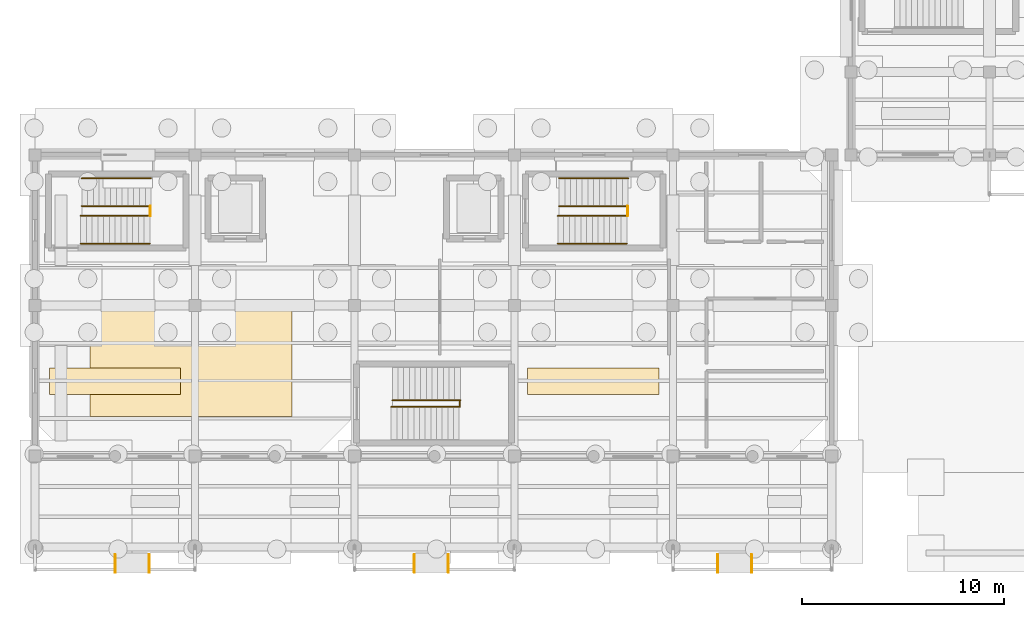
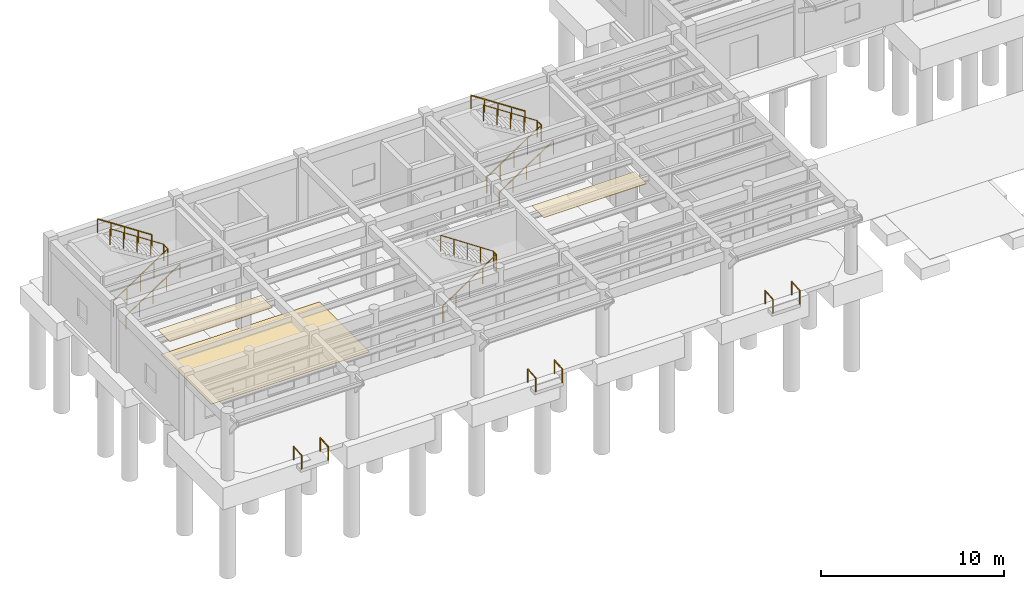
# One storey, part 35 of 41: 19 railings, 3 coverings.
"""IFC4 building model written with IfcOpenShell, lengths in metres."""

from ifc_helpers import new_model, si_unit, direction, frame, origin, origin_2d, place, context, subcontext, project, spatial, rectangle, circle, extrude, material, layer, layer_set, type_object, element, save


model = new_model("IFC4")

# Units and contexts
model_context = context("Model", 3, precision=1e-05, world=origin(), true_north=direction((0.0, 1.0)))
body_context = subcontext(model_context, "Body", "Model", "MODEL_VIEW")
ifc_project = project(units=[si_unit("LENGTHUNIT", "METRE"), si_unit("AREAUNIT", "SQUARE_METRE"), si_unit("VOLUMEUNIT", "CUBIC_METRE"), si_unit("PLANEANGLEUNIT", "RADIAN"), si_unit("MASSUNIT", "GRAM", prefix="KILO")], contexts=[model_context])

# Site, building, storey
site_placement = place(None, origin())
site = spatial("IfcSite", under=ifc_project, at=site_placement, CompositionType="ELEMENT")
building_placement = place(site_placement, origin())
building = spatial("IfcBuilding", under=site, at=building_placement, Name="Candilejo Ridge Gondola Terminal", CompositionType="ELEMENT")
storey_placement = place(building_placement, origin())
storey = spatial("IfcBuildingStorey", under=building, at=storey_placement, Name="L00", CompositionType="ELEMENT", Elevation=0.0)

# Coverings
ifc_material_1 = material(Name="Perforated acoustic aluminium linear plank ceiling", Category="aluminium")
ifc_layer_1 = layer(ifc_material_1, 0.044921875)
ifc_layer_set_1 = layer_set([ifc_layer_1], Name="ARC-COV-CEILING-AC")
covering_type_1 = type_object("IfcCoveringType", Name="ARC-COV-CEILING-AC", PredefinedType="CEILING", material=ifc_layer_set_1)
for number, where, z_axis, x_axis, name in (
    (1, (8.25, 14.5, 4.215576171875), (0.0, 0.0, 1.0), (1.0, 0.0, 0.0), "Acoustic ceiling CL-V1-L00-A"),
    (2, (31.89990234375, 14.5, 4.215576171875), (0.0, 0.0, 1.0), (1.0, 0.0, 0.0), "Acoustic ceiling CL-V1-L00-B"),
):
    element("IfcCovering", number, at=place(storey_placement, frame(where, z_axis=z_axis, x_axis=x_axis)), inside=storey, type_object=covering_type_1, Name=name, PredefinedType="CEILING", context=body_context, shape_type="SweptSolid", body=[
        extrude(rectangle(XDim=6.5, YDim=1.300048828125, at=origin_2d()), origin(), (0.0, 0.0, 1.0), 0.044921875),
    ])
ifc_material_2 = material(Name="Flamed Andean grey granite tactile paving 30 mm", Category="masonry")
ifc_layer_2 = layer(ifc_material_2, 0.030029296875)
ifc_layer_set_2 = layer_set([ifc_layer_2], Name="ARC-COV-FLOORING-GRANITE")
covering_type_2 = type_object("IfcCoveringType", Name="ARC-COV-FLOORING-GRANITE", PredefinedType="FLOORING", material=ifc_layer_set_2)
covering_placement = place(storey_placement, frame((12.0, 15.5, 0.0), z_axis=(0.0, 0.0, 1.0), x_axis=(1.0, 0.0, 0.0)))
element("IfcCovering", 3, at=covering_placement, inside=storey, type_object=covering_type_2, Name="Tactile granite flooring FLR-V1-LOBBY", PredefinedType="FLOORING", context=body_context, shape_type="SweptSolid", body=[
    extrude(rectangle(XDim=10.0, YDim=5.5, at=origin_2d()), origin(), (0.0, 0.0, 1.0), 0.030029296875),
])

# Railings
ifc_material_3 = material(Name="Brushed stainless steel AISI 316", Category="steel")
railing_type_1 = type_object("IfcRailingType", Name="ARC-RAMP-HANDRAIL-920", PredefinedType="HANDRAIL", material=ifc_material_3)
for number, where, name in (
    (4, (8.260009765625, 5.050048828125, -0.074951171875), "Ramp handrail RM-01-W"),
    (5, (9.93994140625, 5.050048828125, -0.074951171875), "Ramp handrail RM-01-E"),
    (6, (23.06005859375, 5.050048828125, -0.074951171875), "Ramp handrail RM-02-W"),
    (7, (24.739990234375, 5.050048828125, -0.074951171875), "Ramp handrail RM-02-E"),
    (8, (38.06005859375, 5.050048828125, -0.074951171875), "Ramp handrail RM-03-W"),
    (9, (39.739990234375, 5.050048828125, -0.074951171875), "Ramp handrail RM-03-E"),
):
    element("IfcRailing", number, at=place(storey_placement, frame(where)), inside=storey, type_object=railing_type_1, Name=name, PredefinedType="HANDRAIL", context=body_context, shape_type="SweptSolid", body=[
        extrude(circle(Radius=0.02392578125, at=origin_2d()), frame((0.0, 0.0, 0.89599609375), z_axis=(0.0, 0.996882531843, 0.07890004883), x_axis=(-1.0, 0.0, 0.0)), (0.0, 0.0, 1.0), 0.87255859375),
        extrude(circle(Radius=0.02099609375, at=origin_2d()), origin(), (0.0, 0.0, 1.0), 0.871826171875),
        extrude(circle(Radius=0.02099609375, at=origin_2d()), frame((0.0, 0.869873046875, 0.06884765625)), (0.0, 0.0, 1.0), 0.871826171875),
    ])
ifc_material_4 = material(Name="Hot-dip galvanised steel ASTM A500 Grade B", Category="steel")
railing_type_2 = type_object("IfcRailingType", Name="ARC-STAIR-GUARD-1100", PredefinedType="GUARDRAIL", material=ifc_material_4)
railing_1_placement = place(storey_placement, frame((6.550048828125, 22.68505859375, 0.0)))
element("IfcRailing", 10, at=railing_1_placement, inside=storey, type_object=railing_type_2, Name="Flight well guard ST-V1A-F01", PredefinedType="GUARDRAIL", context=body_context, shape_type="SweptSolid", body=[
    extrude(circle(Radius=0.02392578125, at=origin_2d()), frame((0.0, 0.0, 1.076171875), z_axis=(0.835411317272, 0.0, 0.549625264133), x_axis=(0.0, 1.0, 0.0)), (0.0, 0.0, 1.0), 4.09375),
    extrude(circle(Radius=0.02099609375, at=origin_2d()), origin(), (0.0, 0.0, 1.0), 1.052001953125),
    extrude(circle(Radius=0.02099609375, at=origin_2d()), frame((0.85498046875, 0.0, 0.5625)), (0.0, 0.0, 1.0), 1.052001953125),
    extrude(circle(Radius=0.02099609375, at=origin_2d()), frame((1.7099609375, 0.0, 1.125)), (0.0, 0.0, 1.0), 1.052001953125),
    extrude(circle(Radius=0.02099609375, at=origin_2d()), frame((2.56494140625, 0.0, 1.6875)), (0.0, 0.0, 1.0), 1.052001953125),
    extrude(circle(Radius=0.02099609375, at=origin_2d()), frame((3.419921875, 0.0, 2.25)), (0.0, 0.0, 1.0), 1.052001953125),
])
railing_2_placement = place(storey_placement, frame((10.0, 22.68505859375, 2.25)))
element("IfcRailing", 11, at=railing_2_placement, inside=storey, type_object=railing_type_2, Name="Half-landing slot guard ST-V1A-LND-01", PredefinedType="GUARDRAIL", context=body_context, shape_type="SweptSolid", body=[
    extrude(circle(Radius=0.02392578125, at=origin_2d()), frame((0.0, 0.0, 1.076171875), z_axis=(0.0, 1.0, 0.0), x_axis=(-1.0, 0.0, 0.0)), (0.0, 0.0, 1.0), 0.47998046875),
    extrude(circle(Radius=0.02099609375, at=origin_2d()), origin(), (0.0, 0.0, 1.0), 1.052001953125),
    extrude(circle(Radius=0.02099609375, at=origin_2d()), frame((0.0, 0.47998046875, 0.0)), (0.0, 0.0, 1.0), 1.052001953125),
])
railing_3_placement = place(storey_placement, frame((10.030029296875, 23.1650390625, 2.25)))
element("IfcRailing", 12, at=railing_3_placement, inside=storey, type_object=railing_type_2, Name="Flight well guard ST-V1A-F02", PredefinedType="GUARDRAIL", context=body_context, shape_type="SweptSolid", body=[
    extrude(circle(Radius=0.02392578125, at=origin_2d()), frame((0.0, 0.0, 1.076171875), z_axis=(-0.835411317272, 0.0, 0.549625264133), x_axis=(0.0, -1.0, 0.0)), (0.0, 0.0, 1.0), 4.09375),
    extrude(circle(Radius=0.02099609375, at=origin_2d()), origin(), (0.0, 0.0, 1.0), 1.052001953125),
    extrude(circle(Radius=0.02099609375, at=origin_2d()), frame((-0.85498046875, 0.0, 0.5625)), (0.0, 0.0, 1.0), 1.052001953125),
    extrude(circle(Radius=0.02099609375, at=origin_2d()), frame((-1.7099609375, 0.0, 1.125)), (0.0, 0.0, 1.0), 1.052001953125),
    extrude(circle(Radius=0.02099609375, at=origin_2d()), frame((-2.56494140625, 0.0, 1.6875)), (0.0, 0.0, 1.0), 1.052001953125),
    extrude(circle(Radius=0.02099609375, at=origin_2d()), frame((-3.419921875, 0.0, 2.25)), (0.0, 0.0, 1.0), 1.052001953125),
])
railing_4_placement = place(storey_placement, frame((30.14990234375, 22.68505859375, 0.0)))
element("IfcRailing", 13, at=railing_4_placement, inside=storey, type_object=railing_type_2, Name="Flight well guard ST-V1B-F01", PredefinedType="GUARDRAIL", context=body_context, shape_type="SweptSolid", body=[
    extrude(circle(Radius=0.02392578125, at=origin_2d()), frame((0.0, 0.0, 1.076171875), z_axis=(0.835429331894, 0.0, 0.549597881557), x_axis=(0.0, 1.0, 0.0)), (0.0, 0.0, 1.0), 4.093994140625),
    extrude(circle(Radius=0.02099609375, at=origin_2d()), origin(), (0.0, 0.0, 1.0), 1.052001953125),
    extrude(circle(Radius=0.02099609375, at=origin_2d()), frame((0.85498046875, 0.0, 0.5625)), (0.0, 0.0, 1.0), 1.052001953125),
    extrude(circle(Radius=0.02099609375, at=origin_2d()), frame((1.7099609375, 0.0, 1.125)), (0.0, 0.0, 1.0), 1.052001953125),
    extrude(circle(Radius=0.02099609375, at=origin_2d()), frame((2.565185546875, 0.0, 1.6875)), (0.0, 0.0, 1.0), 1.052001953125),
    extrude(circle(Radius=0.02099609375, at=origin_2d()), frame((3.420166015625, 0.0, 2.25)), (0.0, 0.0, 1.0), 1.052001953125),
])
railing_5_placement = place(storey_placement, frame((33.60009765625, 22.68505859375, 2.25)))
element("IfcRailing", 14, at=railing_5_placement, inside=storey, type_object=railing_type_2, Name="Half-landing slot guard ST-V1B-LND-01", PredefinedType="GUARDRAIL", context=body_context, shape_type="SweptSolid", body=[
    extrude(circle(Radius=0.02392578125, at=origin_2d()), frame((0.0, 0.0, 1.076171875), z_axis=(0.0, 1.0, 0.0), x_axis=(-1.0, 0.0, 0.0)), (0.0, 0.0, 1.0), 0.47998046875),
    extrude(circle(Radius=0.02099609375, at=origin_2d()), origin(), (0.0, 0.0, 1.0), 1.052001953125),
    extrude(circle(Radius=0.02099609375, at=origin_2d()), frame((0.0, 0.47998046875, 0.0)), (0.0, 0.0, 1.0), 1.052001953125),
])
railing_6_placement = place(storey_placement, frame((33.6298828125, 23.1650390625, 2.25)))
element("IfcRailing", 15, at=railing_6_placement, inside=storey, type_object=railing_type_2, Name="Flight well guard ST-V1B-F02", PredefinedType="GUARDRAIL", context=body_context, shape_type="SweptSolid", body=[
    extrude(circle(Radius=0.02392578125, at=origin_2d()), frame((0.0, 0.0, 1.076171875), z_axis=(-0.835411317272, 0.0, 0.549625264133), x_axis=(0.0, -1.0, 0.0)), (0.0, 0.0, 1.0), 4.09375),
    extrude(circle(Radius=0.02099609375, at=origin_2d()), origin(), (0.0, 0.0, 1.0), 1.052001953125),
    extrude(circle(Radius=0.02099609375, at=origin_2d()), frame((-0.85498046875, 0.0, 0.5625)), (0.0, 0.0, 1.0), 1.052001953125),
    extrude(circle(Radius=0.02099609375, at=origin_2d()), frame((-1.7099609375, 0.0, 1.125)), (0.0, 0.0, 1.0), 1.052001953125),
    extrude(circle(Radius=0.02099609375, at=origin_2d()), frame((-2.56494140625, 0.0, 1.6875)), (0.0, 0.0, 1.0), 1.052001953125),
    extrude(circle(Radius=0.02099609375, at=origin_2d()), frame((-3.419921875, 0.0, 2.25)), (0.0, 0.0, 1.0), 1.052001953125),
])
railing_7_placement = place(storey_placement, frame((21.909912109375, 13.235107421875, 0.0)))
element("IfcRailing", 16, at=railing_7_placement, inside=storey, type_object=railing_type_2, Name="Public stair well guard ST-P01-F01", PredefinedType="GUARDRAIL", context=body_context, shape_type="SweptSolid", body=[
    extrude(circle(Radius=0.02392578125, at=origin_2d()), frame((0.0, 0.0, 1.076171875), z_axis=(0.830915400975, 0.0, 0.556398774641), x_axis=(0.0, 1.0, 0.0)), (0.0, 0.0, 1.0), 4.0439453125),
    extrude(circle(Radius=0.02099609375, at=origin_2d()), origin(), (0.0, 0.0, 1.0), 1.052001953125),
    extrude(circle(Radius=0.02099609375, at=origin_2d()), frame((0.840087890625, 0.0, 0.5625)), (0.0, 0.0, 1.0), 1.052001953125),
    extrude(circle(Radius=0.02099609375, at=origin_2d()), frame((1.68017578125, 0.0, 1.125)), (0.0, 0.0, 1.0), 1.052001953125),
    extrude(circle(Radius=0.02099609375, at=origin_2d()), frame((2.52001953125, 0.0, 1.6875)), (0.0, 0.0, 1.0), 1.052001953125),
    extrude(circle(Radius=0.02099609375, at=origin_2d()), frame((3.360107421875, 0.0, 2.25)), (0.0, 0.0, 1.0), 1.052001953125),
])
railing_8_placement = place(storey_placement, frame((25.300048828125, 13.235107421875, 2.25)))
element("IfcRailing", 17, at=railing_8_placement, inside=storey, type_object=railing_type_2, Name="Public landing slot guard ST-P01-LND-01", PredefinedType="GUARDRAIL", context=body_context, shape_type="SweptSolid", body=[
    extrude(circle(Radius=0.02392578125, at=origin_2d()), frame((0.0, 0.0, 1.076171875), z_axis=(0.0, 1.0, 0.0), x_axis=(-1.0, 0.0, 0.0)), (0.0, 0.0, 1.0), 0.329833984375),
    extrude(circle(Radius=0.02099609375, at=origin_2d()), origin(), (0.0, 0.0, 1.0), 1.052001953125),
    extrude(circle(Radius=0.02099609375, at=origin_2d()), frame((0.0, 0.329833984375, 0.0)), (0.0, 0.0, 1.0), 1.052001953125),
])
railing_9_placement = place(storey_placement, frame((25.330078125, 13.56494140625, 2.25)))
element("IfcRailing", 18, at=railing_9_placement, inside=storey, type_object=railing_type_2, Name="Public stair well guard ST-P01-F02", PredefinedType="GUARDRAIL", context=body_context, shape_type="SweptSolid", body=[
    extrude(circle(Radius=0.02392578125, at=origin_2d()), frame((0.0, 0.0, 1.076171875), z_axis=(-0.830915400975, 0.0, 0.556398774641), x_axis=(0.0, -1.0, 0.0)), (0.0, 0.0, 1.0), 4.0439453125),
    extrude(circle(Radius=0.02099609375, at=origin_2d()), origin(), (0.0, 0.0, 1.0), 1.052001953125),
    extrude(circle(Radius=0.02099609375, at=origin_2d()), frame((-0.840087890625, 0.0, 0.5625)), (0.0, 0.0, 1.0), 1.052001953125),
    extrude(circle(Radius=0.02099609375, at=origin_2d()), frame((-1.68017578125, 0.0, 1.125)), (0.0, 0.0, 1.0), 1.052001953125),
    extrude(circle(Radius=0.02099609375, at=origin_2d()), frame((-2.52001953125, 0.0, 1.6875)), (0.0, 0.0, 1.0), 1.052001953125),
    extrude(circle(Radius=0.02099609375, at=origin_2d()), frame((-3.360107421875, 0.0, 2.25)), (0.0, 0.0, 1.0), 1.052001953125),
])
ifc_material_5 = material(Name="Brushed stainless steel AISI 316", Category="steel")
railing_type_3 = type_object("IfcRailingType", Name="ARC-STAIR-HANDRAIL-920", PredefinedType="HANDRAIL", material=ifc_material_5)
railing_10_placement = place(storey_placement, frame((6.550048828125, 21.31494140625, 0.0)))
element("IfcRailing", 19, at=railing_10_placement, inside=storey, type_object=railing_type_3, Name="Wall handrail ST-V1A-F01", PredefinedType="HANDRAIL", context=body_context, shape_type="SweptSolid", body=[
    extrude(circle(Radius=0.02392578125, at=origin_2d()), frame((0.0, 0.0, 0.89599609375), z_axis=(0.835411317272, 0.0, 0.549625264133), x_axis=(0.0, 1.0, 0.0)), (0.0, 0.0, 1.0), 4.09375),
    extrude(circle(Radius=0.02099609375, at=origin_2d()), origin(), (0.0, 0.0, 1.0), 0.871826171875),
    extrude(circle(Radius=0.02099609375, at=origin_2d()), frame((0.85498046875, 0.0, 0.5625)), (0.0, 0.0, 1.0), 0.871826171875),
    extrude(circle(Radius=0.02099609375, at=origin_2d()), frame((1.7099609375, 0.0, 1.125)), (0.0, 0.0, 1.0), 0.871826171875),
    extrude(circle(Radius=0.02099609375, at=origin_2d()), frame((2.56494140625, 0.0, 1.6875)), (0.0, 0.0, 1.0), 0.871826171875),
    extrude(circle(Radius=0.02099609375, at=origin_2d()), frame((3.419921875, 0.0, 2.25)), (0.0, 0.0, 1.0), 0.871826171875),
])
railing_11_placement = place(storey_placement, frame((10.030029296875, 24.534912109375, 2.25)))
element("IfcRailing", 20, at=railing_11_placement, inside=storey, type_object=railing_type_3, Name="Wall handrail ST-V1A-F02", PredefinedType="HANDRAIL", context=body_context, shape_type="SweptSolid", body=[
    extrude(circle(Radius=0.02392578125, at=origin_2d()), frame((0.0, 0.0, 0.89599609375), z_axis=(-0.835411317272, 0.0, 0.549625264133), x_axis=(0.0, -1.0, 0.0)), (0.0, 0.0, 1.0), 4.09375),
    extrude(circle(Radius=0.02099609375, at=origin_2d()), origin(), (0.0, 0.0, 1.0), 0.871826171875),
    extrude(circle(Radius=0.02099609375, at=origin_2d()), frame((-0.85498046875, 0.0, 0.5625)), (0.0, 0.0, 1.0), 0.871826171875),
    extrude(circle(Radius=0.02099609375, at=origin_2d()), frame((-1.7099609375, 0.0, 1.125)), (0.0, 0.0, 1.0), 0.871826171875),
    extrude(circle(Radius=0.02099609375, at=origin_2d()), frame((-2.56494140625, 0.0, 1.6875)), (0.0, 0.0, 1.0), 0.871826171875),
    extrude(circle(Radius=0.02099609375, at=origin_2d()), frame((-3.419921875, 0.0, 2.25)), (0.0, 0.0, 1.0), 0.871826171875),
])
railing_12_placement = place(storey_placement, frame((30.14990234375, 21.31494140625, 0.0)))
element("IfcRailing", 21, at=railing_12_placement, inside=storey, type_object=railing_type_3, Name="Wall handrail ST-V1B-F01", PredefinedType="HANDRAIL", context=body_context, shape_type="SweptSolid", body=[
    extrude(circle(Radius=0.02392578125, at=origin_2d()), frame((0.0, 0.0, 0.89599609375), z_axis=(0.835429331894, 0.0, 0.549597881557), x_axis=(0.0, 1.0, 0.0)), (0.0, 0.0, 1.0), 4.093994140625),
    extrude(circle(Radius=0.02099609375, at=origin_2d()), origin(), (0.0, 0.0, 1.0), 0.871826171875),
    extrude(circle(Radius=0.02099609375, at=origin_2d()), frame((0.85498046875, 0.0, 0.5625)), (0.0, 0.0, 1.0), 0.871826171875),
    extrude(circle(Radius=0.02099609375, at=origin_2d()), frame((1.7099609375, 0.0, 1.125)), (0.0, 0.0, 1.0), 0.871826171875),
    extrude(circle(Radius=0.02099609375, at=origin_2d()), frame((2.565185546875, 0.0, 1.6875)), (0.0, 0.0, 1.0), 0.871826171875),
    extrude(circle(Radius=0.02099609375, at=origin_2d()), frame((3.420166015625, 0.0, 2.25)), (0.0, 0.0, 1.0), 0.871826171875),
])
railing_13_placement = place(storey_placement, frame((33.6298828125, 24.534912109375, 2.25)))
element("IfcRailing", 22, at=railing_13_placement, inside=storey, type_object=railing_type_3, Name="Wall handrail ST-V1B-F02", PredefinedType="HANDRAIL", context=body_context, shape_type="SweptSolid", body=[
    extrude(circle(Radius=0.02392578125, at=origin_2d()), frame((0.0, 0.0, 0.89599609375), z_axis=(-0.835411317272, 0.0, 0.549625264133), x_axis=(0.0, -1.0, 0.0)), (0.0, 0.0, 1.0), 4.09375),
    extrude(circle(Radius=0.02099609375, at=origin_2d()), origin(), (0.0, 0.0, 1.0), 0.871826171875),
    extrude(circle(Radius=0.02099609375, at=origin_2d()), frame((-0.85498046875, 0.0, 0.5625)), (0.0, 0.0, 1.0), 0.871826171875),
    extrude(circle(Radius=0.02099609375, at=origin_2d()), frame((-1.7099609375, 0.0, 1.125)), (0.0, 0.0, 1.0), 0.871826171875),
    extrude(circle(Radius=0.02099609375, at=origin_2d()), frame((-2.56494140625, 0.0, 1.6875)), (0.0, 0.0, 1.0), 0.871826171875),
    extrude(circle(Radius=0.02099609375, at=origin_2d()), frame((-3.419921875, 0.0, 2.25)), (0.0, 0.0, 1.0), 0.871826171875),
])

save(model, "model.ifc")
